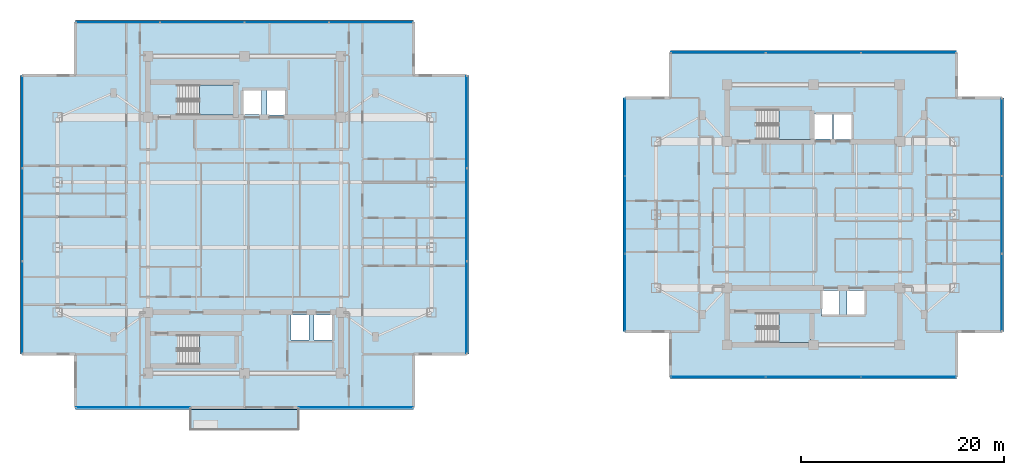
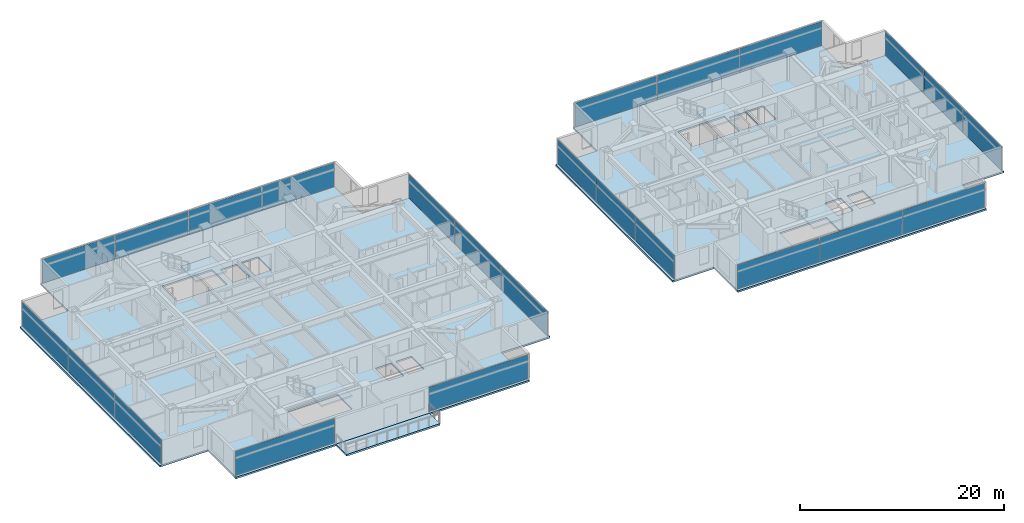
# One storey, part 11 of 25: 24 plates, 7 slabs, 13 elements without a shape of their own.
"""IFC4 building model written with IfcOpenShell, lengths in metres."""

from ifc_helpers import new_model, si_unit, direction, frame, origin, origin_2d, place, context, subcontext, project, spatial, polyline, rectangle, outline, extrude, material, layer, layer_set, type_object, element, aggregate, save


model = new_model("IFC4")

# Units and contexts
model_context = context("Model", 3, precision=1e-05, world=origin(), true_north=direction((0.0, 1.0)))
body_context = subcontext(model_context, "Body", "Model", "MODEL_VIEW")
ifc_project = project(units=[si_unit("LENGTHUNIT", "METRE"), si_unit("AREAUNIT", "SQUARE_METRE"), si_unit("VOLUMEUNIT", "CUBIC_METRE"), si_unit("PLANEANGLEUNIT", "RADIAN"), si_unit("MASSUNIT", "GRAM", prefix="KILO")], contexts=[model_context])

# Site, building, storey
site_placement = place(None, origin())
site = spatial("IfcSite", under=ifc_project, at=site_placement, CompositionType="ELEMENT")
building_placement = place(site_placement, origin())
building = spatial("IfcBuilding", under=site, at=building_placement, Name="Mirazonda Arch Towers", CompositionType="ELEMENT")
storey_placement = place(building_placement, frame((0.0, 0.0, 180.39990234375)))
storey = spatial("IfcBuildingStorey", under=building, at=storey_placement, Name="L51", CompositionType="ELEMENT", Elevation=180.39990234375)

# Curtain wall, plate
ifc_material_1 = material(Name="Anodised Aluminium and Low-E Glass", Category="aluminium")
curtain_wall_type = type_object("IfcCurtainWallType", Name="CW-RES-UNIT", PredefinedType="NOTDEFINED", material=ifc_material_1)
curtain_wall_1_placement = place(storey_placement, origin())
curtain_wall_1 = element("IfcCurtainWall", 1, at=curtain_wall_1_placement, inside=storey, type_object=curtain_wall_type, Name="L51 Curtain Wall CW-L51-T1-SA", PredefinedType="NOTDEFINED")
ifc_material_2 = material(Name="Insulated Low-E Solar Glass", Category="glass")
ifc_layer_1 = layer(ifc_material_2, 0.0400390625, Name="PAN-CW-RES-UNIT")
ifc_layer_set_1 = layer_set([ifc_layer_1], Name="Insulated Low-E Solar Glass")
plate_type = type_object("IfcPlateType", Name="PAN-CW-RES-UNIT", PredefinedType="CURTAIN_PANEL", material=ifc_layer_set_1)
plate_1_placement = place(storey_placement, frame((31.45751953125, 9.0458984375, 0.0751953125), z_axis=(0.0, 0.0, 1.0), x_axis=(-1.0, 0.0, 0.0)))
plate_1 = element("IfcPlate", 2, at=plate_1_placement, type_object=plate_type, Name="CW-104 panel 1.1", PredefinedType="CURTAIN_PANEL", context=body_context, shape_type="SweptSolid", body=[
    extrude(rectangle(XDim=11.18505859375, YDim=0.0400390625, at=origin_2d()), origin(), (0.0, 0.0, 1.0), 2.8798828125),
])
aggregate(curtain_wall_1, [plate_1])

curtain_wall_2_placement = place(storey_placement, origin())
curtain_wall_2 = element("IfcCurtainWall", 3, at=curtain_wall_2_placement, inside=storey, type_object=curtain_wall_type, Name="L51 Curtain Wall CW-L51-T1-SB", PredefinedType="NOTDEFINED")
plate_2_placement = place(storey_placement, frame((9.54248046875, 9.0458984375, 0.0751953125), z_axis=(0.0, 0.0, 1.0), x_axis=(-1.0, 0.0, 0.0)))
plate_2 = element("IfcPlate", 4, at=plate_2_placement, type_object=plate_type, Name="CW-104 panel 1.1", PredefinedType="CURTAIN_PANEL", context=body_context, shape_type="SweptSolid", body=[
    extrude(rectangle(XDim=11.18505859375, YDim=0.0400390625, at=origin_2d()), origin(), (0.0, 0.0, 1.0), 2.8798828125),
])
aggregate(curtain_wall_2, [plate_2])

# Curtain wall, plates
curtain_wall_3_placement = place(storey_placement, origin())
curtain_wall_3 = element("IfcCurtainWall", 5, at=curtain_wall_3_placement, inside=storey, type_object=curtain_wall_type, Name="L51 T1 E Facade CW-L51-T1-E", PredefinedType="NOTDEFINED")
plate_3_placement = place(storey_placement, frame((42.3701171875, 18.87939453125, 0.0751953125), z_axis=(0.0, 0.0, 1.0), x_axis=(0.0, 1.0, 0.0)))
plate_3 = element("IfcPlate", 6, at=plate_3_placement, type_object=plate_type, Name="CW-104 panel 1.1", PredefinedType="CURTAIN_PANEL", context=body_context, shape_type="SweptSolid", body=[
    extrude(rectangle(XDim=9.02685546875, YDim=0.0400390625, at=origin_2d()), origin(), (0.0, 0.0, 1.0), 2.8798828125),
])
plate_4_placement = place(storey_placement, frame((42.3701171875, 28.0, 0.0751953125), z_axis=(0.0, 0.0, 1.0), x_axis=(0.0, 1.0, 0.0)))
plate_4 = element("IfcPlate", 7, at=plate_4_placement, type_object=plate_type, Name="CW-104 panel 2.1", PredefinedType="CURTAIN_PANEL", context=body_context, shape_type="SweptSolid", body=[
    extrude(rectangle(XDim=9.064453125, YDim=0.0400390625, at=origin_2d()), origin(), (0.0, 0.0, 1.0), 2.8798828125),
])
plate_5_placement = place(storey_placement, frame((42.3701171875, 37.12060546875, 0.0751953125), z_axis=(0.0, 0.0, 1.0), x_axis=(0.0, 1.0, 0.0)))
plate_5 = element("IfcPlate", 8, at=plate_5_placement, type_object=plate_type, Name="CW-104 panel 3.1", PredefinedType="CURTAIN_PANEL", context=body_context, shape_type="SweptSolid", body=[
    extrude(rectangle(XDim=9.02685546875, YDim=0.0400390625, at=origin_2d()), origin(), (0.0, 0.0, 1.0), 2.8798828125),
])
aggregate(curtain_wall_3, [plate_3, plate_4, plate_5])

curtain_wall_4_placement = place(storey_placement, origin())
curtain_wall_4 = element("IfcCurtainWall", 9, at=curtain_wall_4_placement, inside=storey, type_object=curtain_wall_type, Name="L51 T1 N Facade CW-L51-T1-N", PredefinedType="NOTDEFINED")
plate_6_placement = place(storey_placement, frame((8.050048828125, 46.9541015625, 0.0751953125), z_axis=(0.0, 0.0, 1.0), x_axis=(1.0, 0.0, 0.0)))
plate_6 = element("IfcPlate", 10, at=plate_6_placement, type_object=plate_type, Name="CW-104 panel 1.1", PredefinedType="CURTAIN_PANEL", context=body_context, shape_type="SweptSolid", body=[
    extrude(rectangle(XDim=8.199951171875, YDim=0.0400390625, at=origin_2d()), origin(), (0.0, 0.0, 1.0), 2.8798828125),
])
plate_7_placement = place(storey_placement, frame((16.34375, 46.9541015625, 0.0751953125), z_axis=(0.0, 0.0, 1.0), x_axis=(1.0, 0.0, 0.0)))
plate_7 = element("IfcPlate", 11, at=plate_7_placement, type_object=plate_type, Name="CW-104 panel 2.1", PredefinedType="CURTAIN_PANEL", context=body_context, shape_type="SweptSolid", body=[
    extrude(rectangle(XDim=8.237548828125, YDim=0.0400390625, at=origin_2d()), origin(), (0.0, 0.0, 1.0), 2.8798828125),
])
plate_8_placement = place(storey_placement, frame((24.65625, 46.9541015625, 0.0751953125), z_axis=(0.0, 0.0, 1.0), x_axis=(1.0, 0.0, 0.0)))
plate_8 = element("IfcPlate", 12, at=plate_8_placement, type_object=plate_type, Name="CW-104 panel 3.1", PredefinedType="CURTAIN_PANEL", context=body_context, shape_type="SweptSolid", body=[
    extrude(rectangle(XDim=8.237548828125, YDim=0.0400390625, at=origin_2d()), origin(), (0.0, 0.0, 1.0), 2.8798828125),
])
plate_9_placement = place(storey_placement, frame((32.949951171875, 46.9541015625, 0.0751953125), z_axis=(0.0, 0.0, 1.0), x_axis=(1.0, 0.0, 0.0)))
plate_9 = element("IfcPlate", 13, at=plate_9_placement, type_object=plate_type, Name="CW-104 panel 4.1", PredefinedType="CURTAIN_PANEL", context=body_context, shape_type="SweptSolid", body=[
    extrude(rectangle(XDim=8.199951171875, YDim=0.0400390625, at=origin_2d()), origin(), (0.0, 0.0, 1.0), 2.8798828125),
])
aggregate(curtain_wall_4, [plate_6, plate_7, plate_8, plate_9])

curtain_wall_5_placement = place(storey_placement, origin())
curtain_wall_5 = element("IfcCurtainWall", 14, at=curtain_wall_5_placement, inside=storey, type_object=curtain_wall_type, Name="L51 T1 W Facade CW-L51-T1-W", PredefinedType="NOTDEFINED")
plate_10_placement = place(storey_placement, frame((-1.3701171875, 37.12060546875, 0.0751953125), z_axis=(0.0, 0.0, 1.0), x_axis=(0.0, -1.0, 0.0)))
plate_10 = element("IfcPlate", 15, at=plate_10_placement, type_object=plate_type, Name="CW-104 panel 1.1", PredefinedType="CURTAIN_PANEL", context=body_context, shape_type="SweptSolid", body=[
    extrude(rectangle(XDim=9.02685546875, YDim=0.0400390625, at=origin_2d()), origin(), (0.0, 0.0, 1.0), 2.8798828125),
])
plate_11_placement = place(storey_placement, frame((-1.3701171875, 28.0, 0.0751953125), z_axis=(0.0, 0.0, 1.0), x_axis=(0.0, -1.0, 0.0)))
plate_11 = element("IfcPlate", 16, at=plate_11_placement, type_object=plate_type, Name="CW-104 panel 2.1", PredefinedType="CURTAIN_PANEL", context=body_context, shape_type="SweptSolid", body=[
    extrude(rectangle(XDim=9.064453125, YDim=0.0400390625, at=origin_2d()), origin(), (0.0, 0.0, 1.0), 2.8798828125),
])
plate_12_placement = place(storey_placement, frame((-1.3701171875, 18.87939453125, 0.0751953125), z_axis=(0.0, 0.0, 1.0), x_axis=(0.0, -1.0, 0.0)))
plate_12 = element("IfcPlate", 17, at=plate_12_placement, type_object=plate_type, Name="CW-104 panel 3.1", PredefinedType="CURTAIN_PANEL", context=body_context, shape_type="SweptSolid", body=[
    extrude(rectangle(XDim=9.02685546875, YDim=0.0400390625, at=origin_2d()), origin(), (0.0, 0.0, 1.0), 2.8798828125),
])
aggregate(curtain_wall_5, [plate_10, plate_11, plate_12])

curtain_wall_6_placement = place(storey_placement, origin())
curtain_wall_6 = element("IfcCurtainWall", 18, at=curtain_wall_6_placement, inside=storey, type_object=curtain_wall_type, Name="L51 T2 S Facade CW-L51-T2-S", PredefinedType="NOTDEFINED")
plate_13_placement = place(storey_placement, frame((85.862060546875, 12.0419921875, 0.0751953125), z_axis=(0.0, 0.0, 1.0), x_axis=(-1.0, 0.0, 0.0)))
plate_13 = element("IfcPlate", 19, at=plate_13_placement, type_object=plate_type, Name="CW-104 panel 1.1", PredefinedType="CURTAIN_PANEL", context=body_context, shape_type="SweptSolid", body=[
    extrude(rectangle(XDim=9.268310546875, YDim=0.0400390625, at=origin_2d()), origin(), (0.0, 0.0, 1.0), 2.8798828125),
])
plate_14_placement = place(storey_placement, frame((76.5, 12.0419921875, 0.0751953125), z_axis=(0.0, 0.0, 1.0), x_axis=(-1.0, 0.0, 0.0)))
plate_14 = element("IfcPlate", 20, at=plate_14_placement, type_object=plate_type, Name="CW-104 panel 2.1", PredefinedType="CURTAIN_PANEL", context=body_context, shape_type="SweptSolid", body=[
    extrude(rectangle(XDim=9.305908203125, YDim=0.0400390625, at=origin_2d()), origin(), (0.0, 0.0, 1.0), 2.8798828125),
])
plate_15_placement = place(storey_placement, frame((67.137939453125, 12.0419921875, 0.0751953125), z_axis=(0.0, 0.0, 1.0), x_axis=(-1.0, 0.0, 0.0)))
plate_15 = element("IfcPlate", 21, at=plate_15_placement, type_object=plate_type, Name="CW-104 panel 3.1", PredefinedType="CURTAIN_PANEL", context=body_context, shape_type="SweptSolid", body=[
    extrude(rectangle(XDim=9.268310546875, YDim=0.0400390625, at=origin_2d()), origin(), (0.0, 0.0, 1.0), 2.8798828125),
])
aggregate(curtain_wall_6, [plate_13, plate_14, plate_15])

curtain_wall_7_placement = place(storey_placement, origin())
curtain_wall_7 = element("IfcCurtainWall", 22, at=curtain_wall_7_placement, inside=storey, type_object=curtain_wall_type, Name="L51 T2 E Facade CW-L51-T2-E", PredefinedType="NOTDEFINED")
plate_16_placement = place(storey_placement, frame((95.03662109375, 20.35693359375, 0.0751953125), z_axis=(0.0, 0.0, 1.0), x_axis=(0.0, 1.0, 0.0)))
plate_16 = element("IfcPlate", 23, at=plate_16_placement, type_object=plate_type, Name="CW-104 panel 1.1", PredefinedType="CURTAIN_PANEL", context=body_context, shape_type="SweptSolid", body=[
    extrude(rectangle(XDim=7.54931640625, YDim=0.0400390625, at=origin_2d()), origin(), (0.0, 0.0, 1.0), 2.8798828125),
])
plate_17_placement = place(storey_placement, frame((95.03662109375, 28.0, 0.0751953125), z_axis=(0.0, 0.0, 1.0), x_axis=(0.0, 1.0, 0.0)))
plate_17 = element("IfcPlate", 24, at=plate_17_placement, type_object=plate_type, Name="CW-104 panel 2.1", PredefinedType="CURTAIN_PANEL", context=body_context, shape_type="SweptSolid", body=[
    extrude(rectangle(XDim=7.5869140625, YDim=0.0400390625, at=origin_2d()), origin(), (0.0, 0.0, 1.0), 2.8798828125),
])
plate_18_placement = place(storey_placement, frame((95.03662109375, 35.64306640625, 0.0751953125), z_axis=(0.0, 0.0, 1.0), x_axis=(0.0, 1.0, 0.0)))
plate_18 = element("IfcPlate", 25, at=plate_18_placement, type_object=plate_type, Name="CW-104 panel 3.1", PredefinedType="CURTAIN_PANEL", context=body_context, shape_type="SweptSolid", body=[
    extrude(rectangle(XDim=7.54931640625, YDim=0.0400390625, at=origin_2d()), origin(), (0.0, 0.0, 1.0), 2.8798828125),
])
aggregate(curtain_wall_7, [plate_16, plate_17, plate_18])

curtain_wall_8_placement = place(storey_placement, origin())
curtain_wall_8 = element("IfcCurtainWall", 26, at=curtain_wall_8_placement, inside=storey, type_object=curtain_wall_type, Name="L51 T2 N Facade CW-L51-T2-N", PredefinedType="NOTDEFINED")
plate_19_placement = place(storey_placement, frame((67.137939453125, 43.9580078125, 0.0751953125), z_axis=(0.0, 0.0, 1.0), x_axis=(1.0, 0.0, 0.0)))
plate_19 = element("IfcPlate", 27, at=plate_19_placement, type_object=plate_type, Name="CW-104 panel 1.1", PredefinedType="CURTAIN_PANEL", context=body_context, shape_type="SweptSolid", body=[
    extrude(rectangle(XDim=9.268310546875, YDim=0.0400390625, at=origin_2d()), origin(), (0.0, 0.0, 1.0), 2.8798828125),
])
plate_20_placement = place(storey_placement, frame((76.5, 43.9580078125, 0.0751953125), z_axis=(0.0, 0.0, 1.0), x_axis=(1.0, 0.0, 0.0)))
plate_20 = element("IfcPlate", 28, at=plate_20_placement, type_object=plate_type, Name="CW-104 panel 2.1", PredefinedType="CURTAIN_PANEL", context=body_context, shape_type="SweptSolid", body=[
    extrude(rectangle(XDim=9.305908203125, YDim=0.0400390625, at=origin_2d()), origin(), (0.0, 0.0, 1.0), 2.8798828125),
])
plate_21_placement = place(storey_placement, frame((85.862060546875, 43.9580078125, 0.0751953125), z_axis=(0.0, 0.0, 1.0), x_axis=(1.0, 0.0, 0.0)))
plate_21 = element("IfcPlate", 29, at=plate_21_placement, type_object=plate_type, Name="CW-104 panel 3.1", PredefinedType="CURTAIN_PANEL", context=body_context, shape_type="SweptSolid", body=[
    extrude(rectangle(XDim=9.268310546875, YDim=0.0400390625, at=origin_2d()), origin(), (0.0, 0.0, 1.0), 2.8798828125),
])
aggregate(curtain_wall_8, [plate_19, plate_20, plate_21])

curtain_wall_9_placement = place(storey_placement, origin())
curtain_wall_9 = element("IfcCurtainWall", 30, at=curtain_wall_9_placement, inside=storey, type_object=curtain_wall_type, Name="L51 T2 W Facade CW-L51-T2-W", PredefinedType="NOTDEFINED")
plate_22_placement = place(storey_placement, frame((57.96337890625, 35.64306640625, 0.0751953125), z_axis=(0.0, 0.0, 1.0), x_axis=(0.0, -1.0, 0.0)))
plate_22 = element("IfcPlate", 31, at=plate_22_placement, type_object=plate_type, Name="CW-104 panel 1.1", PredefinedType="CURTAIN_PANEL", context=body_context, shape_type="SweptSolid", body=[
    extrude(rectangle(XDim=7.54931640625, YDim=0.0400390625, at=origin_2d()), origin(), (0.0, 0.0, 1.0), 2.8798828125),
])
plate_23_placement = place(storey_placement, frame((57.96337890625, 28.0, 0.0751953125), z_axis=(0.0, 0.0, 1.0), x_axis=(0.0, -1.0, 0.0)))
plate_23 = element("IfcPlate", 32, at=plate_23_placement, type_object=plate_type, Name="CW-104 panel 2.1", PredefinedType="CURTAIN_PANEL", context=body_context, shape_type="SweptSolid", body=[
    extrude(rectangle(XDim=7.5869140625, YDim=0.0400390625, at=origin_2d()), origin(), (0.0, 0.0, 1.0), 2.8798828125),
])
plate_24_placement = place(storey_placement, frame((57.96337890625, 20.35693359375, 0.0751953125), z_axis=(0.0, 0.0, 1.0), x_axis=(0.0, -1.0, 0.0)))
plate_24 = element("IfcPlate", 33, at=plate_24_placement, type_object=plate_type, Name="CW-104 panel 3.1", PredefinedType="CURTAIN_PANEL", context=body_context, shape_type="SweptSolid", body=[
    extrude(rectangle(XDim=7.54931640625, YDim=0.0400390625, at=origin_2d()), origin(), (0.0, 0.0, 1.0), 2.8798828125),
])
aggregate(curtain_wall_9, [plate_22, plate_23, plate_24])

# Stair, slab
ifc_material_3 = material(Name="Concrete C40/50", Category="concrete")
stair_type = type_object("IfcStairType", Name="STAIR-CORE-1400", PredefinedType="HALF_TURN_STAIR", material=ifc_material_3)
stair_1_placement = place(storey_placement, origin())
stair_1 = element("IfcStair", 34, at=stair_1_placement, inside=storey, type_object=stair_type, Name="L51 Protected Exit Stair ST-T1N", PredefinedType="HALF_TURN_STAIR")
ifc_layer_2 = layer(ifc_material_3, 0.18994140625, Name="SLAB-LANDING-190")
ifc_layer_set_2 = layer_set([ifc_layer_2], Name="Concrete C40/50")
slab_type_1 = type_object("IfcSlabType", Name="SLAB-LANDING-190", PredefinedType="LANDING", material=ifc_layer_set_2)
slab_1_placement = place(storey_placement, frame((0.0, 0.0, 1.425048828125)))
slab_1 = element("IfcSlab", 35, at=slab_1_placement, type_object=slab_type_1, Name="ST-T1N landing 1", PredefinedType="LANDING", context=body_context, shape_type="SweptSolid", body=[
    extrude(outline(polyline([(16.090087890625, 37.820068359375), (19.60009765625, 37.820068359375), (19.60009765625, 40.760009765625), (16.090087890625, 40.760009765625), (16.090087890625, 37.820068359375)])), origin(), (0.0, 0.0, 1.0), 0.199951171875),
])
aggregate(stair_1, [slab_1])

stair_2_placement = place(storey_placement, origin())
stair_2 = element("IfcStair", 36, at=stair_2_placement, inside=storey, type_object=stair_type, Name="L51 Protected Exit Stair ST-T1S", PredefinedType="HALF_TURN_STAIR")
slab_2_placement = place(storey_placement, frame((0.0, 0.0, 1.425048828125)))
slab_2 = element("IfcSlab", 37, at=slab_2_placement, type_object=slab_type_1, Name="ST-T1S landing 1", PredefinedType="LANDING", context=body_context, shape_type="SweptSolid", body=[
    extrude(outline(polyline([(16.090087890625, 13.25), (19.60009765625, 13.25), (19.60009765625, 16.18994140625), (16.090087890625, 16.18994140625), (16.090087890625, 13.25)])), origin(), (0.0, 0.0, 1.0), 0.199951171875),
])
aggregate(stair_2, [slab_2])

stair_3_placement = place(storey_placement, origin())
stair_3 = element("IfcStair", 38, at=stair_3_placement, inside=storey, type_object=stair_type, Name="L51 Protected Exit Stair ST-T2N", PredefinedType="HALF_TURN_STAIR")
slab_3_placement = place(storey_placement, frame((0.0, 0.0, 1.425048828125)))
slab_3 = element("IfcSlab", 39, at=slab_3_placement, type_object=slab_type_1, Name="ST-T2N landing 1", PredefinedType="LANDING", context=body_context, shape_type="SweptSolid", body=[
    extrude(outline(polyline([(73.090087890625, 35.419921875), (76.22998046875, 35.419921875), (76.22998046875, 38.360107421875), (73.090087890625, 38.360107421875), (73.090087890625, 35.419921875)])), origin(), (0.0, 0.0, 1.0), 0.199951171875),
])
aggregate(stair_3, [slab_3])

stair_4_placement = place(storey_placement, origin())
stair_4 = element("IfcStair", 40, at=stair_4_placement, inside=storey, type_object=stair_type, Name="L51 Protected Exit Stair ST-T2S", PredefinedType="HALF_TURN_STAIR")
slab_4_placement = place(storey_placement, frame((0.0, 0.0, 1.425048828125)))
slab_4 = element("IfcSlab", 41, at=slab_4_placement, type_object=slab_type_1, Name="ST-T2S landing 1", PredefinedType="LANDING", context=body_context, shape_type="SweptSolid", body=[
    extrude(outline(polyline([(73.090087890625, 15.419921875), (76.22998046875, 15.419921875), (76.22998046875, 18.360107421875), (73.090087890625, 18.360107421875), (73.090087890625, 15.419921875)])), origin(), (0.0, 0.0, 1.0), 0.199951171875),
])
aggregate(stair_4, [slab_4])

# Slabs
ifc_layer_3 = layer(ifc_material_3, 0.2099609375, Name="SLAB-TERRACE-210")
ifc_layer_set_3 = layer_set([ifc_layer_3], Name="Concrete C40/50")
slab_type_2 = type_object("IfcSlabType", Name="SLAB-TERRACE-210", PredefinedType="FLOOR", material=ifc_layer_set_3)
slab_5_placement = place(storey_placement, frame((0.0, 0.0, -0.2099609375)))
element("IfcSlab", 42, at=slab_5_placement, inside=storey, type_object=slab_type_2, Name="L51 T1 Spiralling Sky-Terrace Balcony Slab", PredefinedType="FLOOR", context=body_context, shape_type="SweptSolid", body=[
    extrude(outline(polyline([(15.199951171875, 6.77587890625), (25.800048828125, 6.77587890625), (25.800048828125, 8.8359375), (15.199951171875, 8.8359375), (15.199951171875, 6.77587890625)])), origin(), (0.0, 0.0, 1.0), 0.2099609375),
])
ifc_layer_4 = layer(ifc_material_3, 0.199951171875, Name="SLAB-TWR-200")
ifc_layer_set_4 = layer_set([ifc_layer_4], Name="Concrete C40/50")
slab_type_3 = type_object("IfcSlabType", Name="SLAB-TWR-200", PredefinedType="FLOOR", material=ifc_layer_set_4)
slab_6_placement = place(storey_placement, frame((0.0, 0.0, -0.199951171875)))
element("IfcSlab", 43, at=slab_6_placement, inside=storey, type_object=slab_type_3, Name="L51 Tower 1 Floor Slab", PredefinedType="FLOOR", context=body_context, shape_type="SweptSolid", body=[
    extrude(outline(polyline([(3.875, 8.825927734375), (37.125, 8.825927734375), (37.125, 14.291015625), (42.590087890625, 14.291015625), (42.590087890625, 41.708984375), (37.125, 41.708984375), (37.125, 47.174072265625), (3.875, 47.174072265625), (3.875, 41.708984375), (-1.590087890625, 41.708984375), (-1.590087890625, 14.291015625), (3.875, 14.291015625), (3.875, 8.825927734375)]), holes=[polyline([(27.360107421875, 18.139892578125), (29.139892578125, 18.139892578125), (29.139892578125, 15.659912109375), (27.360107421875, 15.659912109375), (27.360107421875, 18.139892578125)]), polyline([(25.06005859375, 18.139892578125), (26.840087890625, 18.139892578125), (26.840087890625, 15.659912109375), (25.06005859375, 15.659912109375), (25.06005859375, 18.139892578125)]), polyline([(22.7099609375, 40.389892578125), (24.590087890625, 40.389892578125), (24.590087890625, 37.81005859375), (22.7099609375, 37.81005859375), (22.7099609375, 40.389892578125)]), polyline([(20.31005859375, 37.860107421875), (20.31005859375, 40.340087890625), (22.18994140625, 40.340087890625), (22.18994140625, 37.860107421875), (20.31005859375, 37.860107421875)]), polyline([(19.60009765625, 13.25), (13.925048828125, 13.25), (13.925048828125, 16.18994140625), (19.60009765625, 16.18994140625), (19.60009765625, 13.25)]), polyline([(13.925048828125, 37.820068359375), (13.925048828125, 40.760009765625), (19.60009765625, 40.760009765625), (19.60009765625, 37.820068359375), (13.925048828125, 37.820068359375)])]), origin(), (0.0, 0.0, 1.0), 0.199951171875),
])
slab_7_placement = place(storey_placement, frame((0.0, 0.0, -0.199951171875)))
element("IfcSlab", 44, at=slab_7_placement, inside=storey, type_object=slab_type_3, Name="L51 Tower 2 Floor Slab", PredefinedType="FLOOR", context=body_context, shape_type="SweptSolid", body=[
    extrude(outline(polyline([(62.4287109375, 11.822021484375), (90.5712890625, 11.822021484375), (90.5712890625, 16.50732421875), (95.256591796875, 16.50732421875), (95.256591796875, 39.49267578125), (90.5712890625, 39.49267578125), (90.5712890625, 44.177978515625), (62.4287109375, 44.177978515625), (62.4287109375, 39.49267578125), (57.743408203125, 39.49267578125), (57.743408203125, 16.50732421875), (62.4287109375, 16.50732421875), (62.4287109375, 11.822021484375)]), holes=[polyline([(79.81005859375, 20.5400390625), (81.590087890625, 20.5400390625), (81.590087890625, 18.06005859375), (79.81005859375, 18.06005859375), (79.81005859375, 20.5400390625)]), polyline([(78.47998046875, 37.989990234375), (80.360107421875, 37.989990234375), (80.360107421875, 35.409912109375), (78.47998046875, 35.409912109375), (78.47998046875, 37.989990234375)]), polyline([(77.31005859375, 20.5400390625), (79.090087890625, 20.5400390625), (79.090087890625, 18.06005859375), (77.31005859375, 18.06005859375), (77.31005859375, 20.5400390625)]), polyline([(76.510009765625, 35.4599609375), (76.510009765625, 37.93994140625), (78.389892578125, 37.93994140625), (78.389892578125, 35.4599609375), (76.510009765625, 35.4599609375)]), polyline([(76.22998046875, 15.419921875), (70.925048828125, 15.419921875), (70.925048828125, 18.360107421875), (76.22998046875, 18.360107421875), (76.22998046875, 15.419921875)]), polyline([(70.925048828125, 35.419921875), (70.925048828125, 38.360107421875), (76.22998046875, 38.360107421875), (76.22998046875, 35.419921875), (70.925048828125, 35.419921875)])]), origin(), (0.0, 0.0, 1.0), 0.199951171875),
])

save(model, "model.ifc")
